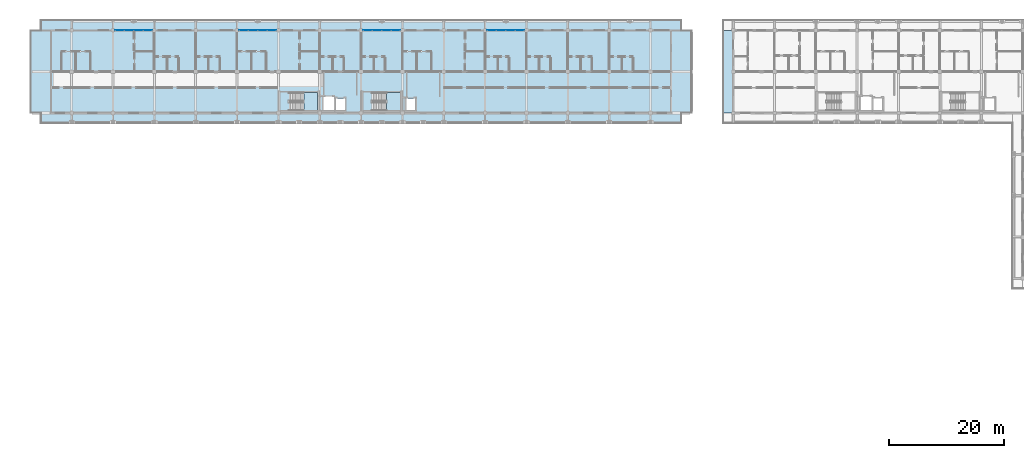
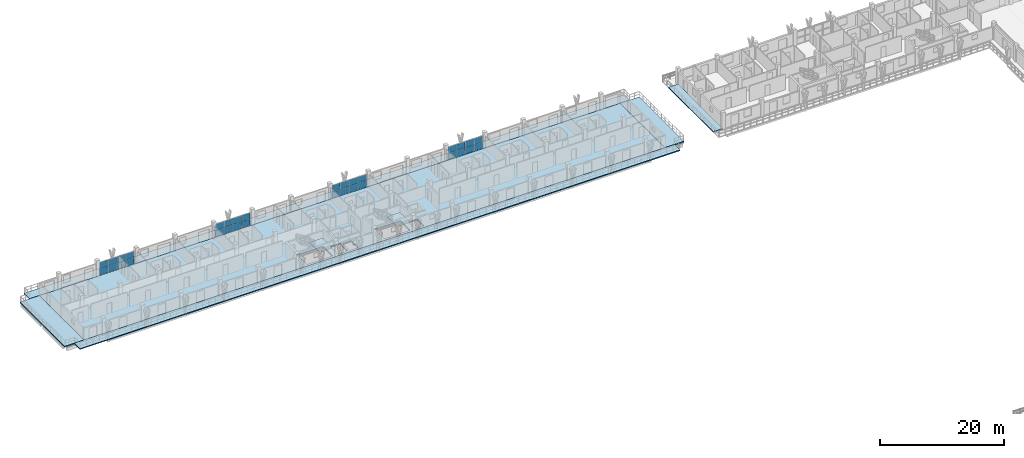
# One storey, part 34 of 75: 32 plates, 8 slabs, 6 elements without a shape of their own.
"""IFC4 building model written with IfcOpenShell, lengths in metres."""

import ifcopenshell
import ifcopenshell.guid

model = None  # the IFC model being written
_history = None  # IfcOwnerHistory: only IFC2X3 demands one
_inside = {}  # id of a spatial element -> (the spatial element, [elements in it])
_under = {}  # id of a project, library or spatial element -> (it, [spatial elements below it])
_declared = {}  # id of a project -> (the project, [libraries it declares])
_typed = {}  # id of a type object -> (the type object, [elements of that type])
_made_of = {}  # id of a material, layer set ... -> (it, [elements and type objects made of it])


def new_model(schema):
    """Start an empty IFC model of exactly this schema.

    Asked for "IFC4X3", IfcOpenShell would pick the latest addendum, in which some entities
    have other attributes; the version numbers below select the first issue.
    IFC2X3 requires an IfcOwnerHistory on every rooted entity: one is made here for all.
    """
    global model, _history
    if schema == "IFC4X3":
        model = ifcopenshell.file(schema_version=(4, 3, 0, 0))
    else:
        model = ifcopenshell.file(schema=schema)
    _inside.clear()
    _under.clear()
    _declared.clear()
    _typed.clear()
    _made_of.clear()
    _history = None
    if model.schema == "IFC2X3":
        org = make("IfcOrganization", Name="unknown")
        user = make(
            "IfcPersonAndOrganization",
            ThePerson=make("IfcPerson", FamilyName="unknown"),
            TheOrganization=org,
        )
        app = make(
            "IfcApplication",
            ApplicationDeveloper=org,
            Version="unknown",
            ApplicationFullName="unknown",
            ApplicationIdentifier="unknown",
        )
        _history = make(
            "IfcOwnerHistory",
            OwningUser=user,
            OwningApplication=app,
            ChangeAction="ADDED",
            CreationDate=0,
        )
    return model


def make(cls, **values):
    """One entity of the class cls with the attributes given. An attribute that is None is left unset."""
    return model.create_entity(
        cls, **{name: value for name, value in values.items() if value is not None}
    )


def rooted(cls, **values):
    """An entity with a GlobalId (a new one), such as an element, a storey or a relation."""
    return make(cls, GlobalId=ifcopenshell.guid.new(), OwnerHistory=_history, **values)


def si_unit(unit_type, name, prefix=None):
    """IfcSIUnit, for example si_unit("LENGTHUNIT", "METRE", prefix="MILLI")."""
    return make("IfcSIUnit", UnitType=unit_type, Prefix=prefix, Name=name)


def assignment(units):
    """IfcUnitAssignment: the units of a project."""
    return None if units is None else make("IfcUnitAssignment", Units=units)


def point(xyz):
    """IfcCartesianPoint."""
    return None if xyz is None else make("IfcCartesianPoint", Coordinates=xyz)


def direction(xyz):
    """IfcDirection."""
    return None if xyz is None else make("IfcDirection", DirectionRatios=xyz)


def frame(location, z_axis=None, x_axis=None):
    """IfcAxis2Placement3D, a coordinate frame: its origin and axes. An axis left out is left unset."""
    return make(
        "IfcAxis2Placement3D",
        Location=point(location),
        Axis=direction(z_axis),
        RefDirection=direction(x_axis),
    )


def frame_2d(location, x_axis=None):
    """IfcAxis2Placement2D, a coordinate frame in the plane: its origin and x axis."""
    return make(
        "IfcAxis2Placement2D", Location=point(location), RefDirection=direction(x_axis)
    )


def origin():
    """The frame at (0, 0, 0) with its axes left unset."""
    return frame((0.0, 0.0, 0.0))


def origin_2d():
    """The frame at (0, 0) in the plane with its x axis left unset."""
    return frame_2d((0.0, 0.0))


def place(relative_to, where):
    """IfcLocalPlacement: puts the frame where relative to a parent placement (None: the world)."""
    return make(
        "IfcLocalPlacement", PlacementRelTo=relative_to, RelativePlacement=where
    )


def context(
    kind, dimensions, precision=None, world=None, true_north=None, identifier=None
):
    """IfcGeometricRepresentationContext, for example the 3D "Model" context."""
    return make(
        "IfcGeometricRepresentationContext",
        ContextIdentifier=identifier,
        ContextType=kind,
        CoordinateSpaceDimension=dimensions,
        Precision=precision,
        WorldCoordinateSystem=world,
        TrueNorth=true_north,
    )


def subcontext(parent, identifier, kind, view, scale=None):
    """IfcGeometricRepresentationSubContext, for example "Body" below "Model"."""
    return make(
        "IfcGeometricRepresentationSubContext",
        ContextIdentifier=identifier,
        ContextType=kind,
        ParentContext=parent,
        TargetScale=scale,
        TargetView=view,
    )


def project(units=None, contexts=None):
    """IfcProject with its units and contexts."""
    return rooted(
        "IfcProject",
        Name="project",
        RepresentationContexts=contexts,
        UnitsInContext=assignment(units),
    )


def spatial(cls, under=None, at=None, **own):
    """A site, building, storey or space (cls), placed at a placement, below another one or the project."""
    s = rooted(cls, ObjectPlacement=at, **own)
    if under is not None:
        _under.setdefault(under.id(), (under, []))[1].append(s)
    return s


def polyline(points):
    """IfcPolyline through the points."""
    return make("IfcPolyline", Points=[point(p) for p in points])


def profile(cls, at=None, kind="AREA", **sizes):
    """A parametric profile (cls). Its sizes go by their IFC names, for example OverallWidth=200.0."""
    return make(cls, ProfileType=kind, Position=at, **sizes)


def rectangle(**sizes):
    """IfcRectangleProfileDef."""
    return profile("IfcRectangleProfileDef", **sizes)


def outline(outer, holes=None, kind="AREA"):
    """IfcArbitraryClosedProfileDef: a profile drawn as a closed curve; with holes, ...WithVoids."""
    if holes is None:
        return make("IfcArbitraryClosedProfileDef", ProfileType=kind, OuterCurve=outer)
    return make(
        "IfcArbitraryProfileDefWithVoids",
        ProfileType=kind,
        OuterCurve=outer,
        InnerCurves=holes,
    )


def extrude(swept, where, along, depth):
    """IfcExtrudedAreaSolid: the profile swept, set in the frame where, extruded along a direction by depth."""
    return make(
        "IfcExtrudedAreaSolid",
        SweptArea=swept,
        Position=where,
        ExtrudedDirection=direction(along),
        Depth=depth,
    )


def shape(context_of_items, identifier, shape_type, items):
    """IfcShapeRepresentation: the items that make up one representation, for example the "Body"."""
    return make(
        "IfcShapeRepresentation",
        ContextOfItems=context_of_items,
        RepresentationIdentifier=identifier,
        RepresentationType=shape_type,
        Items=items,
    )


def material(Name=None, Category=None):
    """IfcMaterial."""
    return make("IfcMaterial", Name=Name, Category=Category)


def layer(
    of_material, thickness, ventilated=None, Name=None, Category=None, Priority=None
):
    """IfcMaterialLayer: one layer of a wall or slab, of a material (None: an air gap)."""
    return make(
        "IfcMaterialLayer",
        Material=of_material,
        LayerThickness=thickness,
        IsVentilated=ventilated,
        Name=Name,
        Category=Category,
        Priority=Priority,
    )


def layer_set(layers, Name=None):
    """IfcMaterialLayerSet."""
    return make("IfcMaterialLayerSet", MaterialLayers=layers, LayerSetName=Name)


def made_of(thing, what):
    """Note that an element or type object is made of a material, layer set ...; save() writes the relation."""
    if what is not None:
        _made_of.setdefault(what.id(), (what, []))[1].append(thing)
    return thing


def type_object(cls, material=None, **own):
    """A type object (cls), such as IfcWallType, which elements share."""
    return made_of(rooted(cls, **own), material)


def element(
    cls,
    number,
    at=None,
    inside=None,
    cuts=None,
    type_object=None,
    material=None,
    context=None,
    identifier="Body",
    shape_type=None,
    held_by="IfcProductDefinitionShape",
    body=None,
    shapes=None,
    **own,
):
    """One element of the class cls, such as IfcWall. Its Tag is "e" and its number.

    at: its placement. inside: the storey or other place that contains it. cuts: it is an
    opening in that element (IfcRelVoidsElement). A single representation is given by context,
    identifier, shape_type and body (its items); several are given by shapes. held_by: the class
    of the entity that holds the representations. save() writes the other relations.
    """
    e = rooted(cls, Tag="e%d" % number, ObjectPlacement=at, **own)
    if body is not None:
        shapes = [shape(context, identifier, shape_type, body)]
    if shapes is not None:
        e.Representation = make(held_by, Representations=shapes)
    if inside is not None:
        _inside.setdefault(inside.id(), (inside, []))[1].append(e)
    if cuts is not None:
        rooted(
            "IfcRelVoidsElement", RelatingBuildingElement=cuts, RelatedOpeningElement=e
        )
    if type_object is not None:
        _typed.setdefault(type_object.id(), (type_object, []))[1].append(e)
    return made_of(e, material)


def aggregate(whole, parts):
    """IfcRelAggregates: a whole, such as a stair, and the parts it consists of."""
    return rooted("IfcRelAggregates", RelatingObject=whole, RelatedObjects=parts)


def save(model, path):
    """Write the relations noted so far, then the file.

    IfcRelAggregates (storeys below a building ...), IfcRelContainedInSpatialStructure (elements
    in a storey), IfcRelDefinesByType, IfcRelAssociatesMaterial and IfcRelDeclares: one each for
    every whole, place, type object, material and project.
    """
    for whole, parts in _under.values():
        aggregate(whole, parts)
    for where, things in _inside.values():
        rooted(
            "IfcRelContainedInSpatialStructure",
            RelatedElements=things,
            RelatingStructure=where,
        )
    for kind, things in _typed.values():
        rooted("IfcRelDefinesByType", RelatedObjects=things, RelatingType=kind)
    for what, things in _made_of.values():
        rooted("IfcRelAssociatesMaterial", RelatedObjects=things, RelatingMaterial=what)
    for by, libraries in _declared.values():
        rooted("IfcRelDeclares", RelatingContext=by, RelatedDefinitions=libraries)
    model.write(path)


model = new_model("IFC4")

# Units and contexts
model_context = context("Model", 3, precision=1e-05, world=origin(), true_north=direction((0.0, 1.0)))
body_context = subcontext(model_context, "Body", "Model", "MODEL_VIEW")
ifc_project = project(units=[si_unit("LENGTHUNIT", "METRE"), si_unit("AREAUNIT", "SQUARE_METRE"), si_unit("VOLUMEUNIT", "CUBIC_METRE"), si_unit("PLANEANGLEUNIT", "RADIAN"), si_unit("MASSUNIT", "GRAM", prefix="KILO")], contexts=[model_context])

# Site, building, storey
site_placement = place(None, origin())
site = spatial("IfcSite", under=ifc_project, at=site_placement, CompositionType="ELEMENT")
building_placement = place(site_placement, origin())
building = spatial("IfcBuilding", under=site, at=building_placement, Name="Suanplinth Sawtooth Commons", CompositionType="ELEMENT")
storey_placement = place(building_placement, frame((0.0, 0.0, 18.60009765625)))
storey = spatial("IfcBuildingStorey", under=building, at=storey_placement, Name="L05", CompositionType="ELEMENT", Elevation=18.60009765625)

# Curtain wall, plates
ifc_material_1 = material(Name="Anodized aluminium and low-E glazing", Category="aluminium")
curtain_wall_type = type_object("IfcCurtainWallType", Name="CW-06", PredefinedType="USERDEFINED", material=ifc_material_1)
curtain_wall_1_placement = place(storey_placement, origin())
curtain_wall_1 = element("IfcCurtainWall", 1, at=curtain_wall_1_placement, inside=storey, type_object=curtain_wall_type, Name="Curtain Wall CW-L05-A-LOUNGE-2", ObjectType="CURTAIN WALL", PredefinedType="USERDEFINED")
ifc_material_2 = material(Name="Tempered low-E double glazing", Category="glass")
ifc_layer_1 = layer(ifc_material_2, 0.028076171875, Name="Vision low-E insulated glazing unit 28mm")
ifc_layer_set_1 = layer_set([ifc_layer_1], Name="Tempered low-E double glazing")
plate_type = type_object("IfcPlateType", Name="PL-05", PredefinedType="CURTAIN_PANEL", material=ifc_layer_set_1)
plate_1_placement = place(storey_placement, frame((15.56005859375, 122.39990234375, 0.06494140625), z_axis=(0.0, 0.0, 1.0), x_axis=(1.0, 0.0, 0.0)))
plate_1 = element("IfcPlate", 2, at=plate_1_placement, type_object=plate_type, Name="CW-06 panel 1.1", PredefinedType="CURTAIN_PANEL", context=body_context, shape_type="SweptSolid", body=[
    extrude(rectangle(XDim=1.5400390625, YDim=0.028076171875, at=origin_2d()), origin(), (0.0, 0.0, 1.0), 1.20751953125),
])
plate_2_placement = place(storey_placement, frame((15.56005859375, 122.39990234375, 1.33740234375), z_axis=(0.0, 0.0, 1.0), x_axis=(1.0, 0.0, 0.0)))
plate_2 = element("IfcPlate", 3, at=plate_2_placement, type_object=plate_type, Name="CW-06 panel 1.2", PredefinedType="CURTAIN_PANEL", context=body_context, shape_type="SweptSolid", body=[
    extrude(rectangle(XDim=1.5400390625, YDim=0.028076171875, at=origin_2d()), origin(), (0.0, 0.0, 1.0), 1.20751953125),
])
plate_3_placement = place(storey_placement, frame((17.18115234375, 122.39990234375, 0.06494140625), z_axis=(0.0, 0.0, 1.0), x_axis=(1.0, 0.0, 0.0)))
plate_3 = element("IfcPlate", 4, at=plate_3_placement, type_object=plate_type, Name="CW-06 panel 2.1", PredefinedType="CURTAIN_PANEL", context=body_context, shape_type="SweptSolid", body=[
    extrude(rectangle(XDim=1.572509765625, YDim=0.028076171875, at=origin_2d()), origin(), (0.0, 0.0, 1.0), 1.20751953125),
])
plate_4_placement = place(storey_placement, frame((17.18115234375, 122.39990234375, 1.33740234375), z_axis=(0.0, 0.0, 1.0), x_axis=(1.0, 0.0, 0.0)))
plate_4 = element("IfcPlate", 5, at=plate_4_placement, type_object=plate_type, Name="CW-06 panel 2.2", PredefinedType="CURTAIN_PANEL", context=body_context, shape_type="SweptSolid", body=[
    extrude(rectangle(XDim=1.572509765625, YDim=0.028076171875, at=origin_2d()), origin(), (0.0, 0.0, 1.0), 1.20751953125),
])
plate_5_placement = place(storey_placement, frame((18.81884765625, 122.39990234375, 0.06494140625), z_axis=(0.0, 0.0, 1.0), x_axis=(1.0, 0.0, 0.0)))
plate_5 = element("IfcPlate", 6, at=plate_5_placement, type_object=plate_type, Name="CW-06 panel 3.1", PredefinedType="CURTAIN_PANEL", context=body_context, shape_type="SweptSolid", body=[
    extrude(rectangle(XDim=1.572509765625, YDim=0.028076171875, at=origin_2d()), origin(), (0.0, 0.0, 1.0), 1.20751953125),
])
plate_6_placement = place(storey_placement, frame((18.81884765625, 122.39990234375, 1.33740234375), z_axis=(0.0, 0.0, 1.0), x_axis=(1.0, 0.0, 0.0)))
plate_6 = element("IfcPlate", 7, at=plate_6_placement, type_object=plate_type, Name="CW-06 panel 3.2", PredefinedType="CURTAIN_PANEL", context=body_context, shape_type="SweptSolid", body=[
    extrude(rectangle(XDim=1.572509765625, YDim=0.028076171875, at=origin_2d()), origin(), (0.0, 0.0, 1.0), 1.20751953125),
])
plate_7_placement = place(storey_placement, frame((20.43994140625, 122.39990234375, 0.06494140625), z_axis=(0.0, 0.0, 1.0), x_axis=(1.0, 0.0, 0.0)))
plate_7 = element("IfcPlate", 8, at=plate_7_placement, type_object=plate_type, Name="CW-06 panel 4.1", PredefinedType="CURTAIN_PANEL", context=body_context, shape_type="SweptSolid", body=[
    extrude(rectangle(XDim=1.5400390625, YDim=0.028076171875, at=origin_2d()), origin(), (0.0, 0.0, 1.0), 1.20751953125),
])
plate_8_placement = place(storey_placement, frame((20.43994140625, 122.39990234375, 1.33740234375), z_axis=(0.0, 0.0, 1.0), x_axis=(1.0, 0.0, 0.0)))
plate_8 = element("IfcPlate", 9, at=plate_8_placement, type_object=plate_type, Name="CW-06 panel 4.2", PredefinedType="CURTAIN_PANEL", context=body_context, shape_type="SweptSolid", body=[
    extrude(rectangle(XDim=1.5400390625, YDim=0.028076171875, at=origin_2d()), origin(), (0.0, 0.0, 1.0), 1.20751953125),
])
aggregate(curtain_wall_1, [plate_1, plate_2, plate_3, plate_4, plate_5, plate_6, plate_7, plate_8])

curtain_wall_2_placement = place(storey_placement, origin())
curtain_wall_2 = element("IfcCurtainWall", 10, at=curtain_wall_2_placement, inside=storey, type_object=curtain_wall_type, Name="Curtain Wall CW-L05-A-LOUNGE-5", ObjectType="CURTAIN WALL", PredefinedType="USERDEFINED")
plate_9_placement = place(storey_placement, frame((37.159912109375, 122.39990234375, 0.06494140625), z_axis=(0.0, 0.0, 1.0), x_axis=(1.0, 0.0, 0.0)))
plate_9 = element("IfcPlate", 11, at=plate_9_placement, type_object=plate_type, Name="CW-06 panel 1.1", PredefinedType="CURTAIN_PANEL", context=body_context, shape_type="SweptSolid", body=[
    extrude(rectangle(XDim=1.5400390625, YDim=0.028076171875, at=origin_2d()), origin(), (0.0, 0.0, 1.0), 1.20751953125),
])
plate_10_placement = place(storey_placement, frame((37.159912109375, 122.39990234375, 1.33740234375), z_axis=(0.0, 0.0, 1.0), x_axis=(1.0, 0.0, 0.0)))
plate_10 = element("IfcPlate", 12, at=plate_10_placement, type_object=plate_type, Name="CW-06 panel 1.2", PredefinedType="CURTAIN_PANEL", context=body_context, shape_type="SweptSolid", body=[
    extrude(rectangle(XDim=1.5400390625, YDim=0.028076171875, at=origin_2d()), origin(), (0.0, 0.0, 1.0), 1.20751953125),
])
plate_11_placement = place(storey_placement, frame((38.78125, 122.39990234375, 0.06494140625), z_axis=(0.0, 0.0, 1.0), x_axis=(1.0, 0.0, 0.0)))
plate_11 = element("IfcPlate", 13, at=plate_11_placement, type_object=plate_type, Name="CW-06 panel 2.1", PredefinedType="CURTAIN_PANEL", context=body_context, shape_type="SweptSolid", body=[
    extrude(rectangle(XDim=1.572509765625, YDim=0.028076171875, at=origin_2d()), origin(), (0.0, 0.0, 1.0), 1.20751953125),
])
plate_12_placement = place(storey_placement, frame((38.78125, 122.39990234375, 1.33740234375), z_axis=(0.0, 0.0, 1.0), x_axis=(1.0, 0.0, 0.0)))
plate_12 = element("IfcPlate", 14, at=plate_12_placement, type_object=plate_type, Name="CW-06 panel 2.2", PredefinedType="CURTAIN_PANEL", context=body_context, shape_type="SweptSolid", body=[
    extrude(rectangle(XDim=1.572509765625, YDim=0.028076171875, at=origin_2d()), origin(), (0.0, 0.0, 1.0), 1.20751953125),
])
plate_13_placement = place(storey_placement, frame((40.418701171875, 122.39990234375, 0.06494140625), z_axis=(0.0, 0.0, 1.0), x_axis=(1.0, 0.0, 0.0)))
plate_13 = element("IfcPlate", 15, at=plate_13_placement, type_object=plate_type, Name="CW-06 panel 3.1", PredefinedType="CURTAIN_PANEL", context=body_context, shape_type="SweptSolid", body=[
    extrude(rectangle(XDim=1.572509765625, YDim=0.028076171875, at=origin_2d()), origin(), (0.0, 0.0, 1.0), 1.20751953125),
])
plate_14_placement = place(storey_placement, frame((40.418701171875, 122.39990234375, 1.33740234375), z_axis=(0.0, 0.0, 1.0), x_axis=(1.0, 0.0, 0.0)))
plate_14 = element("IfcPlate", 16, at=plate_14_placement, type_object=plate_type, Name="CW-06 panel 3.2", PredefinedType="CURTAIN_PANEL", context=body_context, shape_type="SweptSolid", body=[
    extrude(rectangle(XDim=1.572509765625, YDim=0.028076171875, at=origin_2d()), origin(), (0.0, 0.0, 1.0), 1.20751953125),
])
plate_15_placement = place(storey_placement, frame((42.0400390625, 122.39990234375, 0.06494140625), z_axis=(0.0, 0.0, 1.0), x_axis=(1.0, 0.0, 0.0)))
plate_15 = element("IfcPlate", 17, at=plate_15_placement, type_object=plate_type, Name="CW-06 panel 4.1", PredefinedType="CURTAIN_PANEL", context=body_context, shape_type="SweptSolid", body=[
    extrude(rectangle(XDim=1.5400390625, YDim=0.028076171875, at=origin_2d()), origin(), (0.0, 0.0, 1.0), 1.20751953125),
])
plate_16_placement = place(storey_placement, frame((42.0400390625, 122.39990234375, 1.33740234375), z_axis=(0.0, 0.0, 1.0), x_axis=(1.0, 0.0, 0.0)))
plate_16 = element("IfcPlate", 18, at=plate_16_placement, type_object=plate_type, Name="CW-06 panel 4.2", PredefinedType="CURTAIN_PANEL", context=body_context, shape_type="SweptSolid", body=[
    extrude(rectangle(XDim=1.5400390625, YDim=0.028076171875, at=origin_2d()), origin(), (0.0, 0.0, 1.0), 1.20751953125),
])
aggregate(curtain_wall_2, [plate_9, plate_10, plate_11, plate_12, plate_13, plate_14, plate_15, plate_16])

curtain_wall_3_placement = place(storey_placement, origin())
curtain_wall_3 = element("IfcCurtainWall", 19, at=curtain_wall_3_placement, inside=storey, type_object=curtain_wall_type, Name="Curtain Wall CW-L05-A-LOUNGE-8", ObjectType="CURTAIN WALL", PredefinedType="USERDEFINED")
plate_17_placement = place(storey_placement, frame((58.760009765625, 122.39990234375, 0.06494140625), z_axis=(0.0, 0.0, 1.0), x_axis=(1.0, 0.0, 0.0)))
plate_17 = element("IfcPlate", 20, at=plate_17_placement, type_object=plate_type, Name="CW-06 panel 1.1", PredefinedType="CURTAIN_PANEL", context=body_context, shape_type="SweptSolid", body=[
    extrude(rectangle(XDim=1.5400390625, YDim=0.028076171875, at=origin_2d()), origin(), (0.0, 0.0, 1.0), 1.20751953125),
])
plate_18_placement = place(storey_placement, frame((58.760009765625, 122.39990234375, 1.33740234375), z_axis=(0.0, 0.0, 1.0), x_axis=(1.0, 0.0, 0.0)))
plate_18 = element("IfcPlate", 21, at=plate_18_placement, type_object=plate_type, Name="CW-06 panel 1.2", PredefinedType="CURTAIN_PANEL", context=body_context, shape_type="SweptSolid", body=[
    extrude(rectangle(XDim=1.5400390625, YDim=0.028076171875, at=origin_2d()), origin(), (0.0, 0.0, 1.0), 1.20751953125),
])
plate_19_placement = place(storey_placement, frame((60.38134765625, 122.39990234375, 0.06494140625), z_axis=(0.0, 0.0, 1.0), x_axis=(1.0, 0.0, 0.0)))
plate_19 = element("IfcPlate", 22, at=plate_19_placement, type_object=plate_type, Name="CW-06 panel 2.1", PredefinedType="CURTAIN_PANEL", context=body_context, shape_type="SweptSolid", body=[
    extrude(rectangle(XDim=1.572509765625, YDim=0.028076171875, at=origin_2d()), origin(), (0.0, 0.0, 1.0), 1.20751953125),
])
plate_20_placement = place(storey_placement, frame((60.38134765625, 122.39990234375, 1.33740234375), z_axis=(0.0, 0.0, 1.0), x_axis=(1.0, 0.0, 0.0)))
plate_20 = element("IfcPlate", 23, at=plate_20_placement, type_object=plate_type, Name="CW-06 panel 2.2", PredefinedType="CURTAIN_PANEL", context=body_context, shape_type="SweptSolid", body=[
    extrude(rectangle(XDim=1.572509765625, YDim=0.028076171875, at=origin_2d()), origin(), (0.0, 0.0, 1.0), 1.20751953125),
])
plate_21_placement = place(storey_placement, frame((62.018798828125, 122.39990234375, 0.06494140625), z_axis=(0.0, 0.0, 1.0), x_axis=(1.0, 0.0, 0.0)))
plate_21 = element("IfcPlate", 24, at=plate_21_placement, type_object=plate_type, Name="CW-06 panel 3.1", PredefinedType="CURTAIN_PANEL", context=body_context, shape_type="SweptSolid", body=[
    extrude(rectangle(XDim=1.572509765625, YDim=0.028076171875, at=origin_2d()), origin(), (0.0, 0.0, 1.0), 1.20751953125),
])
plate_22_placement = place(storey_placement, frame((62.018798828125, 122.39990234375, 1.33740234375), z_axis=(0.0, 0.0, 1.0), x_axis=(1.0, 0.0, 0.0)))
plate_22 = element("IfcPlate", 25, at=plate_22_placement, type_object=plate_type, Name="CW-06 panel 3.2", PredefinedType="CURTAIN_PANEL", context=body_context, shape_type="SweptSolid", body=[
    extrude(rectangle(XDim=1.572509765625, YDim=0.028076171875, at=origin_2d()), origin(), (0.0, 0.0, 1.0), 1.20751953125),
])
plate_23_placement = place(storey_placement, frame((63.639892578125, 122.39990234375, 0.06494140625), z_axis=(0.0, 0.0, 1.0), x_axis=(1.0, 0.0, 0.0)))
plate_23 = element("IfcPlate", 26, at=plate_23_placement, type_object=plate_type, Name="CW-06 panel 4.1", PredefinedType="CURTAIN_PANEL", context=body_context, shape_type="SweptSolid", body=[
    extrude(rectangle(XDim=1.5400390625, YDim=0.028076171875, at=origin_2d()), origin(), (0.0, 0.0, 1.0), 1.20751953125),
])
plate_24_placement = place(storey_placement, frame((63.639892578125, 122.39990234375, 1.33740234375), z_axis=(0.0, 0.0, 1.0), x_axis=(1.0, 0.0, 0.0)))
plate_24 = element("IfcPlate", 27, at=plate_24_placement, type_object=plate_type, Name="CW-06 panel 4.2", PredefinedType="CURTAIN_PANEL", context=body_context, shape_type="SweptSolid", body=[
    extrude(rectangle(XDim=1.5400390625, YDim=0.028076171875, at=origin_2d()), origin(), (0.0, 0.0, 1.0), 1.20751953125),
])
aggregate(curtain_wall_3, [plate_17, plate_18, plate_19, plate_20, plate_21, plate_22, plate_23, plate_24])

curtain_wall_4_placement = place(storey_placement, origin())
curtain_wall_4 = element("IfcCurtainWall", 28, at=curtain_wall_4_placement, inside=storey, type_object=curtain_wall_type, Name="Curtain Wall CW-L05-A-LOUNGE-11", ObjectType="CURTAIN WALL", PredefinedType="USERDEFINED")
plate_25_placement = place(storey_placement, frame((80.360107421875, 122.39990234375, 0.06494140625), z_axis=(0.0, 0.0, 1.0), x_axis=(1.0, 0.0, 0.0)))
plate_25 = element("IfcPlate", 29, at=plate_25_placement, type_object=plate_type, Name="CW-06 panel 1.1", PredefinedType="CURTAIN_PANEL", context=body_context, shape_type="SweptSolid", body=[
    extrude(rectangle(XDim=1.5400390625, YDim=0.028076171875, at=origin_2d()), origin(), (0.0, 0.0, 1.0), 1.20751953125),
])
plate_26_placement = place(storey_placement, frame((80.360107421875, 122.39990234375, 1.33740234375), z_axis=(0.0, 0.0, 1.0), x_axis=(1.0, 0.0, 0.0)))
plate_26 = element("IfcPlate", 30, at=plate_26_placement, type_object=plate_type, Name="CW-06 panel 1.2", PredefinedType="CURTAIN_PANEL", context=body_context, shape_type="SweptSolid", body=[
    extrude(rectangle(XDim=1.5400390625, YDim=0.028076171875, at=origin_2d()), origin(), (0.0, 0.0, 1.0), 1.20751953125),
])
plate_27_placement = place(storey_placement, frame((81.981201171875, 122.39990234375, 0.06494140625), z_axis=(0.0, 0.0, 1.0), x_axis=(1.0, 0.0, 0.0)))
plate_27 = element("IfcPlate", 31, at=plate_27_placement, type_object=plate_type, Name="CW-06 panel 2.1", PredefinedType="CURTAIN_PANEL", context=body_context, shape_type="SweptSolid", body=[
    extrude(rectangle(XDim=1.572509765625, YDim=0.028076171875, at=origin_2d()), origin(), (0.0, 0.0, 1.0), 1.20751953125),
])
plate_28_placement = place(storey_placement, frame((81.981201171875, 122.39990234375, 1.33740234375), z_axis=(0.0, 0.0, 1.0), x_axis=(1.0, 0.0, 0.0)))
plate_28 = element("IfcPlate", 32, at=plate_28_placement, type_object=plate_type, Name="CW-06 panel 2.2", PredefinedType="CURTAIN_PANEL", context=body_context, shape_type="SweptSolid", body=[
    extrude(rectangle(XDim=1.572509765625, YDim=0.028076171875, at=origin_2d()), origin(), (0.0, 0.0, 1.0), 1.20751953125),
])
plate_29_placement = place(storey_placement, frame((83.61865234375, 122.39990234375, 0.06494140625), z_axis=(0.0, 0.0, 1.0), x_axis=(1.0, 0.0, 0.0)))
plate_29 = element("IfcPlate", 33, at=plate_29_placement, type_object=plate_type, Name="CW-06 panel 3.1", PredefinedType="CURTAIN_PANEL", context=body_context, shape_type="SweptSolid", body=[
    extrude(rectangle(XDim=1.572509765625, YDim=0.028076171875, at=origin_2d()), origin(), (0.0, 0.0, 1.0), 1.20751953125),
])
plate_30_placement = place(storey_placement, frame((83.61865234375, 122.39990234375, 1.33740234375), z_axis=(0.0, 0.0, 1.0), x_axis=(1.0, 0.0, 0.0)))
plate_30 = element("IfcPlate", 34, at=plate_30_placement, type_object=plate_type, Name="CW-06 panel 3.2", PredefinedType="CURTAIN_PANEL", context=body_context, shape_type="SweptSolid", body=[
    extrude(rectangle(XDim=1.572509765625, YDim=0.028076171875, at=origin_2d()), origin(), (0.0, 0.0, 1.0), 1.20751953125),
])
plate_31_placement = place(storey_placement, frame((85.239990234375, 122.39990234375, 0.06494140625), z_axis=(0.0, 0.0, 1.0), x_axis=(1.0, 0.0, 0.0)))
plate_31 = element("IfcPlate", 35, at=plate_31_placement, type_object=plate_type, Name="CW-06 panel 4.1", PredefinedType="CURTAIN_PANEL", context=body_context, shape_type="SweptSolid", body=[
    extrude(rectangle(XDim=1.5400390625, YDim=0.028076171875, at=origin_2d()), origin(), (0.0, 0.0, 1.0), 1.20751953125),
])
plate_32_placement = place(storey_placement, frame((85.239990234375, 122.39990234375, 1.33740234375), z_axis=(0.0, 0.0, 1.0), x_axis=(1.0, 0.0, 0.0)))
plate_32 = element("IfcPlate", 36, at=plate_32_placement, type_object=plate_type, Name="CW-06 panel 4.2", PredefinedType="CURTAIN_PANEL", context=body_context, shape_type="SweptSolid", body=[
    extrude(rectangle(XDim=1.5400390625, YDim=0.028076171875, at=origin_2d()), origin(), (0.0, 0.0, 1.0), 1.20751953125),
])
aggregate(curtain_wall_4, [plate_25, plate_26, plate_27, plate_28, plate_29, plate_30, plate_31, plate_32])

# Slabs
ifc_material_3 = material(Name="Precast concrete C40/50", Category="concrete")
ifc_layer_2 = layer(ifc_material_3, 0.179931640625, Name="Wrap-around cantilevered precast balcony slab 180mm")
ifc_layer_set_2 = layer_set([ifc_layer_2], Name="Precast concrete C40/50")
slab_type_1 = type_object("IfcSlabType", Name="S-BL01", PredefinedType="FLOOR", material=ifc_layer_set_2)
slab_1_placement = place(storey_placement, frame((0.0, 0.0, -0.18017578125)))
element("IfcSlab", 37, at=slab_1_placement, inside=storey, type_object=slab_type_1, Name="L05 Block A Wrap-Around Balcony N", PredefinedType="FLOOR", context=body_context, shape_type="SweptSolid", body=[
    extrude(outline(polyline([(1.800048828125, 124.199951171875), (113.39990234375, 124.199951171875), (113.39990234375, 122.39990234375), (1.800048828125, 122.39990234375), (1.800048828125, 124.199951171875)])), origin(), (0.0, 0.0, 1.0), 0.18017578125),
])
slab_2_placement = place(storey_placement, frame((0.0, 0.0, -0.18017578125)))
element("IfcSlab", 38, at=slab_2_placement, inside=storey, type_object=slab_type_1, Name="L05 Block A Wrap-Around Balcony S", PredefinedType="FLOOR", context=body_context, shape_type="SweptSolid", body=[
    extrude(outline(polyline([(113.39990234375, 106.199951171875), (1.800048828125, 106.199951171875), (1.800048828125, 108.0), (113.39990234375, 108.0), (113.39990234375, 106.199951171875)])), origin(), (0.0, 0.0, 1.0), 0.18017578125),
])
slab_3_placement = place(storey_placement, frame((0.0, 0.0, -0.18017578125)))
element("IfcSlab", 39, at=slab_3_placement, inside=storey, type_object=slab_type_1, Name="L05 Block B Wrap-Around Balcony WEND", PredefinedType="FLOOR", context=body_context, shape_type="SweptSolid", body=[
    extrude(outline(polyline([(122.39990234375, 108.0), (120.60009765625, 108.0), (120.60009765625, 122.39990234375), (122.39990234375, 122.39990234375), (122.39990234375, 108.0)])), origin(), (0.0, 0.0, 1.0), 0.18017578125),
])
ifc_layer_3 = layer(ifc_material_3, 0.25, Name="Precast hollow-core + topping floor slab 250mm")
ifc_layer_set_3 = layer_set([ifc_layer_3], Name="Precast concrete C40/50")
slab_type_2 = type_object("IfcSlabType", Name="S-FL01", PredefinedType="FLOOR", material=ifc_layer_set_3)
slab_4_placement = place(storey_placement, frame((0.0, 0.0, -0.25)))
element("IfcSlab", 40, at=slab_4_placement, inside=storey, type_object=slab_type_2, Name="L05 Block A Structural Floor Plate", PredefinedType="FLOOR", context=body_context, shape_type="SweptSolid", body=[
    extrude(outline(polyline([(3.60009765625, 108.0), (111.60009765625, 108.0), (111.60009765625, 122.39990234375), (3.60009765625, 122.39990234375), (3.60009765625, 108.0)]), holes=[polyline([(45.2900390625, 108.449951171875), (50.050048828125, 108.449951171875), (50.050048828125, 111.550048828125), (45.2900390625, 111.550048828125), (45.2900390625, 108.449951171875)]), polyline([(51.050048828125, 108.449951171875), (52.85009765625, 108.449951171875), (52.85009765625, 110.85009765625), (51.050048828125, 110.85009765625), (51.050048828125, 108.449951171875)]), polyline([(53.199951171875, 108.449951171875), (54.800048828125, 108.449951171875), (54.800048828125, 110.550048828125), (53.199951171875, 110.550048828125), (53.199951171875, 108.449951171875)]), polyline([(59.68994140625, 108.449951171875), (64.449951171875, 108.449951171875), (64.449951171875, 111.550048828125), (59.68994140625, 111.550048828125), (59.68994140625, 108.449951171875)]), polyline([(65.449951171875, 108.449951171875), (67.050048828125, 108.449951171875), (67.050048828125, 110.550048828125), (65.449951171875, 110.550048828125), (65.449951171875, 108.449951171875)])]), origin(), (0.0, 0.0, 1.0), 0.25),
])

# Stair, slab
ifc_material_4 = material(Name="Concrete C40/50", Category="concrete")
stair_type = type_object("IfcStairType", Name="ST-04", PredefinedType="USERDEFINED", material=ifc_material_4)
stair_1_placement = place(storey_placement, origin())
stair_1 = element("IfcStair", 41, at=stair_1_placement, inside=storey, type_object=stair_type, Name="L05 Exit Stair ST-N1", ObjectType="TWO_RETURN_STAIR", PredefinedType="USERDEFINED")
ifc_layer_4 = layer(ifc_material_4, 0.199951171875, Name="Reinforced concrete stair and ramp landing slab 200mm")
ifc_layer_set_4 = layer_set([ifc_layer_4], Name="Concrete C40/50")
slab_type_3 = type_object("IfcSlabType", Name="S-LD01", PredefinedType="LANDING", material=ifc_layer_set_4)
slab_5_placement = place(storey_placement, frame((0.0, 0.0, 1.449951171875)))
slab_5 = element("IfcSlab", 42, at=slab_5_placement, type_object=slab_type_3, Name="ST-04 landing 1", PredefinedType="LANDING", context=body_context, shape_type="SweptSolid", body=[
    extrude(outline(polyline([(47.614990234375, 108.449951171875), (50.050048828125, 108.449951171875), (50.050048828125, 111.550048828125), (47.614990234375, 111.550048828125), (47.614990234375, 108.449951171875)])), origin(), (0.0, 0.0, 1.0), 0.199951171875),
])
aggregate(stair_1, [slab_5])

stair_2_placement = place(storey_placement, origin())
stair_2 = element("IfcStair", 43, at=stair_2_placement, inside=storey, type_object=stair_type, Name="L05 Exit Stair ST-N2", ObjectType="TWO_RETURN_STAIR", PredefinedType="USERDEFINED")
slab_6_placement = place(storey_placement, frame((0.0, 0.0, 1.449951171875)))
slab_6 = element("IfcSlab", 44, at=slab_6_placement, type_object=slab_type_3, Name="ST-04 landing 1", PredefinedType="LANDING", context=body_context, shape_type="SweptSolid", body=[
    extrude(outline(polyline([(62.014892578125, 108.449951171875), (64.449951171875, 108.449951171875), (64.449951171875, 111.550048828125), (62.014892578125, 111.550048828125), (62.014892578125, 108.449951171875)])), origin(), (0.0, 0.0, 1.0), 0.199951171875),
])
aggregate(stair_2, [slab_6])

# Slabs
ifc_layer_5 = layer(ifc_material_4, 0.239990234375, Name="Stepped sky-terrace & courtyard garden slab 240mm")
ifc_layer_set_5 = layer_set([ifc_layer_5], Name="Concrete C40/50")
slab_type_4 = type_object("IfcSlabType", Name="S-TR01", PredefinedType="FLOOR", material=ifc_layer_set_5)
slab_7_placement = place(storey_placement, frame((0.0, 0.0, -0.239990234375)))
element("IfcSlab", 45, at=slab_7_placement, inside=storey, type_object=slab_type_4, Name="L05 Block A Stepped Sky-Terrace 1", PredefinedType="FLOOR", context=body_context, shape_type="SweptSolid", body=[
    extrude(outline(polyline([(0.0, 108.0), (0.0, 122.39990234375), (3.60009765625, 122.39990234375), (3.60009765625, 108.0), (0.0, 108.0)])), origin(), (0.0, 0.0, 1.0), 0.239990234375),
])
slab_8_placement = place(storey_placement, frame((0.0, 0.0, -0.239990234375)))
element("IfcSlab", 46, at=slab_8_placement, inside=storey, type_object=slab_type_4, Name="L05 Block A Stepped Sky-Terrace 2", PredefinedType="FLOOR", context=body_context, shape_type="SweptSolid", body=[
    extrude(outline(polyline([(115.199951171875, 122.39990234375), (115.199951171875, 108.0), (111.60009765625, 108.0), (111.60009765625, 122.39990234375), (115.199951171875, 122.39990234375)])), origin(), (0.0, 0.0, 1.0), 0.239990234375),
])

save(model, "model.ifc")
